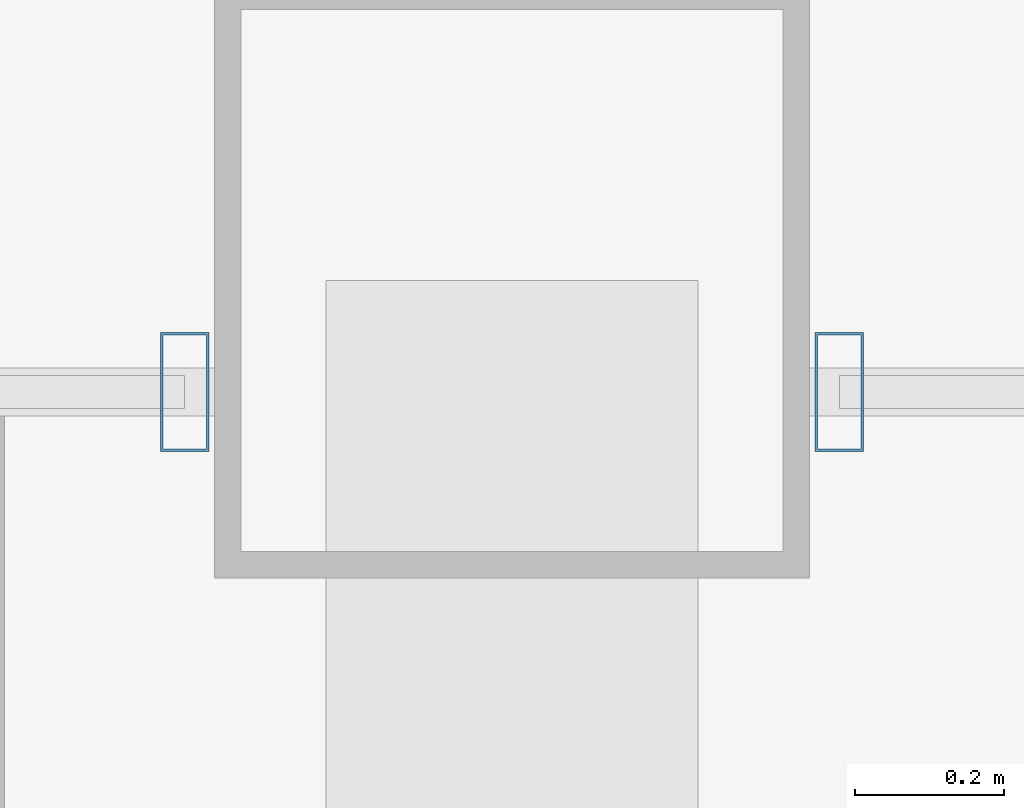
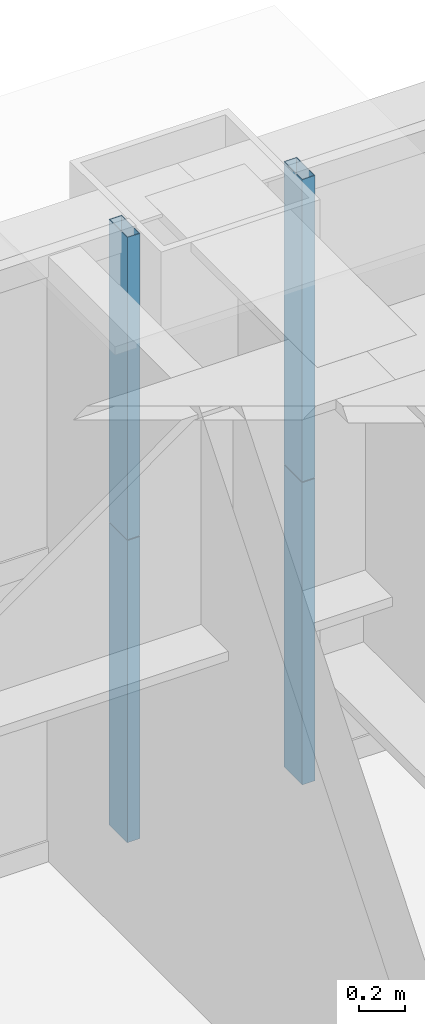
# One storey, part 28 of 39: 4 members, 2 elements without a shape of their own.
"""IFC4 building model written with IfcOpenShell, lengths in metres."""

import ifcopenshell
import ifcopenshell.guid

model = None  # the IFC model being written
_history = None  # IfcOwnerHistory: only IFC2X3 demands one
_inside = {}  # id of a spatial element -> (the spatial element, [elements in it])
_under = {}  # id of a project, library or spatial element -> (it, [spatial elements below it])
_declared = {}  # id of a project -> (the project, [libraries it declares])
_typed = {}  # id of a type object -> (the type object, [elements of that type])
_made_of = {}  # id of a material, layer set ... -> (it, [elements and type objects made of it])


def new_model(schema):
    """Start an empty IFC model of exactly this schema.

    Asked for "IFC4X3", IfcOpenShell would pick the latest addendum, in which some entities
    have other attributes; the version numbers below select the first issue.
    IFC2X3 requires an IfcOwnerHistory on every rooted entity: one is made here for all.
    """
    global model, _history
    if schema == "IFC4X3":
        model = ifcopenshell.file(schema_version=(4, 3, 0, 0))
    else:
        model = ifcopenshell.file(schema=schema)
    _inside.clear()
    _under.clear()
    _declared.clear()
    _typed.clear()
    _made_of.clear()
    _history = None
    if model.schema == "IFC2X3":
        org = make("IfcOrganization", Name="unknown")
        user = make(
            "IfcPersonAndOrganization",
            ThePerson=make("IfcPerson", FamilyName="unknown"),
            TheOrganization=org,
        )
        app = make(
            "IfcApplication",
            ApplicationDeveloper=org,
            Version="unknown",
            ApplicationFullName="unknown",
            ApplicationIdentifier="unknown",
        )
        _history = make(
            "IfcOwnerHistory",
            OwningUser=user,
            OwningApplication=app,
            ChangeAction="ADDED",
            CreationDate=0,
        )
    return model


def make(cls, **values):
    """One entity of the class cls with the attributes given. An attribute that is None is left unset."""
    return model.create_entity(
        cls, **{name: value for name, value in values.items() if value is not None}
    )


def rooted(cls, **values):
    """An entity with a GlobalId (a new one), such as an element, a storey or a relation."""
    return make(cls, GlobalId=ifcopenshell.guid.new(), OwnerHistory=_history, **values)


def si_unit(unit_type, name, prefix=None):
    """IfcSIUnit, for example si_unit("LENGTHUNIT", "METRE", prefix="MILLI")."""
    return make("IfcSIUnit", UnitType=unit_type, Prefix=prefix, Name=name)


def assignment(units):
    """IfcUnitAssignment: the units of a project."""
    return None if units is None else make("IfcUnitAssignment", Units=units)


def point(xyz):
    """IfcCartesianPoint."""
    return None if xyz is None else make("IfcCartesianPoint", Coordinates=xyz)


def direction(xyz):
    """IfcDirection."""
    return None if xyz is None else make("IfcDirection", DirectionRatios=xyz)


def frame(location, z_axis=None, x_axis=None):
    """IfcAxis2Placement3D, a coordinate frame: its origin and axes. An axis left out is left unset."""
    return make(
        "IfcAxis2Placement3D",
        Location=point(location),
        Axis=direction(z_axis),
        RefDirection=direction(x_axis),
    )


def frame_2d(location, x_axis=None):
    """IfcAxis2Placement2D, a coordinate frame in the plane: its origin and x axis."""
    return make(
        "IfcAxis2Placement2D", Location=point(location), RefDirection=direction(x_axis)
    )


def origin():
    """The frame at (0, 0, 0) with its axes left unset."""
    return frame((0.0, 0.0, 0.0))


def origin_2d():
    """The frame at (0, 0) in the plane with its x axis left unset."""
    return frame_2d((0.0, 0.0))


def place(relative_to, where):
    """IfcLocalPlacement: puts the frame where relative to a parent placement (None: the world)."""
    return make(
        "IfcLocalPlacement", PlacementRelTo=relative_to, RelativePlacement=where
    )


def context(
    kind, dimensions, precision=None, world=None, true_north=None, identifier=None
):
    """IfcGeometricRepresentationContext, for example the 3D "Model" context."""
    return make(
        "IfcGeometricRepresentationContext",
        ContextIdentifier=identifier,
        ContextType=kind,
        CoordinateSpaceDimension=dimensions,
        Precision=precision,
        WorldCoordinateSystem=world,
        TrueNorth=true_north,
    )


def subcontext(parent, identifier, kind, view, scale=None):
    """IfcGeometricRepresentationSubContext, for example "Body" below "Model"."""
    return make(
        "IfcGeometricRepresentationSubContext",
        ContextIdentifier=identifier,
        ContextType=kind,
        ParentContext=parent,
        TargetScale=scale,
        TargetView=view,
    )


def project(units=None, contexts=None):
    """IfcProject with its units and contexts."""
    return rooted(
        "IfcProject",
        Name="project",
        RepresentationContexts=contexts,
        UnitsInContext=assignment(units),
    )


def spatial(cls, under=None, at=None, **own):
    """A site, building, storey or space (cls), placed at a placement, below another one or the project."""
    s = rooted(cls, ObjectPlacement=at, **own)
    if under is not None:
        _under.setdefault(under.id(), (under, []))[1].append(s)
    return s


def profile(cls, at=None, kind="AREA", **sizes):
    """A parametric profile (cls). Its sizes go by their IFC names, for example OverallWidth=200.0."""
    return make(cls, ProfileType=kind, Position=at, **sizes)


def hollow_rectangle(**sizes):
    """IfcRectangleHollowProfileDef."""
    return profile("IfcRectangleHollowProfileDef", **sizes)


def extrude(swept, where, along, depth):
    """IfcExtrudedAreaSolid: the profile swept, set in the frame where, extruded along a direction by depth."""
    return make(
        "IfcExtrudedAreaSolid",
        SweptArea=swept,
        Position=where,
        ExtrudedDirection=direction(along),
        Depth=depth,
    )


def shape(context_of_items, identifier, shape_type, items):
    """IfcShapeRepresentation: the items that make up one representation, for example the "Body"."""
    return make(
        "IfcShapeRepresentation",
        ContextOfItems=context_of_items,
        RepresentationIdentifier=identifier,
        RepresentationType=shape_type,
        Items=items,
    )


def source(mapping_origin, context_of_items, identifier, shape_type, items):
    """IfcRepresentationMap: a shape defined once, which mapped items show again and again."""
    return make(
        "IfcRepresentationMap",
        MappingOrigin=mapping_origin,
        MappedRepresentation=shape(context_of_items, identifier, shape_type, items),
    )


def transform(
    local_origin,
    x_axis=None,
    y_axis=None,
    z_axis=None,
    scale=None,
    scale2=None,
    scale3=None,
    uniform=True,
):
    """IfcCartesianTransformationOperator3D, or its non-uniform kind. x_axis, y_axis, z_axis: its Axis1, 2, 3."""
    if uniform:
        return make(
            "IfcCartesianTransformationOperator3D",
            Axis1=direction(x_axis),
            Axis2=direction(y_axis),
            LocalOrigin=point(local_origin),
            Scale=scale,
            Axis3=direction(z_axis),
        )
    return make(
        "IfcCartesianTransformationOperator3DnonUniform",
        Axis1=direction(x_axis),
        Axis2=direction(y_axis),
        LocalOrigin=point(local_origin),
        Scale=scale,
        Axis3=direction(z_axis),
        Scale2=scale2,
        Scale3=scale3,
    )


def mapped(mapping_source, mapping_target):
    """IfcMappedItem: shows the shape of a source again, moved by a transform."""
    return make(
        "IfcMappedItem", MappingSource=mapping_source, MappingTarget=mapping_target
    )


def material(Name=None, Category=None):
    """IfcMaterial."""
    return make("IfcMaterial", Name=Name, Category=Category)


def layer(
    of_material, thickness, ventilated=None, Name=None, Category=None, Priority=None
):
    """IfcMaterialLayer: one layer of a wall or slab, of a material (None: an air gap)."""
    return make(
        "IfcMaterialLayer",
        Material=of_material,
        LayerThickness=thickness,
        IsVentilated=ventilated,
        Name=Name,
        Category=Category,
        Priority=Priority,
    )


def layer_set(layers, Name=None):
    """IfcMaterialLayerSet."""
    return make("IfcMaterialLayerSet", MaterialLayers=layers, LayerSetName=Name)


def material_profile(
    of_material, cross_section, Name=None, Category=None, Priority=None
):
    """IfcMaterialProfile: a cross section and its material."""
    return make(
        "IfcMaterialProfile",
        Name=Name,
        Material=of_material,
        Profile=cross_section,
        Priority=Priority,
        Category=Category,
    )


def profile_set(profiles, Name=None, composite=None):
    """IfcMaterialProfileSet."""
    return make(
        "IfcMaterialProfileSet",
        Name=Name,
        MaterialProfiles=profiles,
        CompositeProfile=composite,
    )


def made_of(thing, what):
    """Note that an element or type object is made of a material, layer set ...; save() writes the relation."""
    if what is not None:
        _made_of.setdefault(what.id(), (what, []))[1].append(thing)
    return thing


def type_object(cls, material=None, **own):
    """A type object (cls), such as IfcWallType, which elements share."""
    return made_of(rooted(cls, **own), material)


def element(
    cls,
    number,
    at=None,
    inside=None,
    cuts=None,
    type_object=None,
    material=None,
    context=None,
    identifier="Body",
    shape_type=None,
    held_by="IfcProductDefinitionShape",
    body=None,
    shapes=None,
    **own,
):
    """One element of the class cls, such as IfcWall. Its Tag is "e" and its number.

    at: its placement. inside: the storey or other place that contains it. cuts: it is an
    opening in that element (IfcRelVoidsElement). A single representation is given by context,
    identifier, shape_type and body (its items); several are given by shapes. held_by: the class
    of the entity that holds the representations. save() writes the other relations.
    """
    e = rooted(cls, Tag="e%d" % number, ObjectPlacement=at, **own)
    if body is not None:
        shapes = [shape(context, identifier, shape_type, body)]
    if shapes is not None:
        e.Representation = make(held_by, Representations=shapes)
    if inside is not None:
        _inside.setdefault(inside.id(), (inside, []))[1].append(e)
    if cuts is not None:
        rooted(
            "IfcRelVoidsElement", RelatingBuildingElement=cuts, RelatedOpeningElement=e
        )
    if type_object is not None:
        _typed.setdefault(type_object.id(), (type_object, []))[1].append(e)
    return made_of(e, material)


def aggregate(whole, parts):
    """IfcRelAggregates: a whole, such as a stair, and the parts it consists of."""
    return rooted("IfcRelAggregates", RelatingObject=whole, RelatedObjects=parts)


def save(model, path):
    """Write the relations noted so far, then the file.

    IfcRelAggregates (storeys below a building ...), IfcRelContainedInSpatialStructure (elements
    in a storey), IfcRelDefinesByType, IfcRelAssociatesMaterial and IfcRelDeclares: one each for
    every whole, place, type object, material and project.
    """
    for whole, parts in _under.values():
        aggregate(whole, parts)
    for where, things in _inside.values():
        rooted(
            "IfcRelContainedInSpatialStructure",
            RelatedElements=things,
            RelatingStructure=where,
        )
    for kind, things in _typed.values():
        rooted("IfcRelDefinesByType", RelatedObjects=things, RelatingType=kind)
    for what, things in _made_of.values():
        rooted("IfcRelAssociatesMaterial", RelatedObjects=things, RelatingMaterial=what)
    for by, libraries in _declared.values():
        rooted("IfcRelDeclares", RelatingContext=by, RelatedDefinitions=libraries)
    model.write(path)


model = new_model("IFC4")

# Units and contexts
model_context = context("Model", 3, precision=1e-05, world=origin(), true_north=direction((0.0, 1.0)))
body_context = subcontext(model_context, "Body", "Model", "MODEL_VIEW")
ifc_project = project(units=[si_unit("LENGTHUNIT", "METRE"), si_unit("AREAUNIT", "SQUARE_METRE"), si_unit("VOLUMEUNIT", "CUBIC_METRE"), si_unit("PLANEANGLEUNIT", "RADIAN"), si_unit("MASSUNIT", "GRAM", prefix="KILO"), si_unit("THERMODYNAMICTEMPERATUREUNIT", "KELVIN"), si_unit("POWERUNIT", "WATT")], contexts=[model_context])

# Site, building, storey
site_placement = place(None, origin())
site = spatial("IfcSite", under=ifc_project, at=site_placement, CompositionType="ELEMENT")
building_placement = place(site_placement, origin())
building = spatial("IfcBuilding", under=site, at=building_placement, Name="Yuzanri Waterfront Tower", CompositionType="ELEMENT")
storey_placement = place(building_placement, frame((0.0, 0.0, 216.0)))
storey = spatial("IfcBuildingStorey", under=building, at=storey_placement, Name="L57", CompositionType="ELEMENT", Elevation=216.0)

# Curtain wall, members
ifc_material_1 = material(Name="Anodized Architectural Bronze", Category="metal")
ifc_layer = layer(ifc_material_1, 0.159912109375)
ifc_layer_set = layer_set([ifc_layer], Name="Anodized Architectural Bronze")
curtain_wall_type = type_object("IfcCurtainWallType", Name="Anodized Bronze Mid-Rise Residential Acoustic Unitized Curtain Wall 7200", PredefinedType="NOTDEFINED", material=ifc_layer_set)
curtain_wall_1_placement = place(storey_placement, origin())
curtain_wall_1 = element("IfcCurtainWall", 1, at=curtain_wall_1_placement, inside=storey, type_object=curtain_wall_type, Name="L57 Curtain Wall CW-L57-NL", PredefinedType="NOTDEFINED")
ifc_material_2 = material(Name="Anodized Architectural Bronze", Category="metal")
ifc_material_profile = material_profile(ifc_material_2, hollow_rectangle(XDim=0.06494140625, YDim=0.159912109375, WallThickness=0.00341796875, at=origin_2d()), Name="CWM 65x160")
ifc_profile_set = profile_set([ifc_material_profile], Name="Anodized Architectural Bronze")
member_type = type_object("IfcMemberType", Name="Anodized Bronze Upper-Zone Curtain-Wall Mullion 65x160", PredefinedType="MULLION", material=ifc_profile_set)
shared_shape = source(origin(), body_context, "Body", "SweptSolid", [
    extrude(hollow_rectangle(XDim=0.06494140625, YDim=0.159912109375, WallThickness=0.00341796875, at=origin_2d()), origin(), (0.0, 0.0, 1.0), 1.60791015625),
])
member_1_placement = place(storey_placement, frame((36.56005859375, 47.75, 0.0), z_axis=(0.0, 0.0, 1.0), x_axis=(1.0, 0.0, 0.0)))
member_1 = element("IfcMember", 2, at=member_1_placement, type_object=member_type, Name="CW-L57-NL Lower Mullion 02", PredefinedType="MULLION", context=body_context, shape_type="MappedRepresentation", body=[
    mapped(shared_shape, transform((0.0, 0.0, 0.0), scale=1.0)),
])
member_2_placement = place(storey_placement, frame((36.56005859375, 47.75, 1.612060546875), z_axis=(0.0, 0.0, 1.0), x_axis=(1.0, 0.0, 0.0)))
member_2 = element("IfcMember", 3, at=member_2_placement, type_object=member_type, Name="CW-L57-NL Upper Mullion 02", PredefinedType="MULLION", context=body_context, shape_type="MappedRepresentation", body=[
    mapped(shared_shape, transform((0.0, 0.0, 0.0), scale=1.0)),
])
aggregate(curtain_wall_1, [member_1, member_2])

curtain_wall_2_placement = place(storey_placement, origin())
curtain_wall_2 = element("IfcCurtainWall", 4, at=curtain_wall_2_placement, inside=storey, type_object=curtain_wall_type, Name="L57 Curtain Wall CW-L57-NR", PredefinedType="NOTDEFINED")
member_3_placement = place(storey_placement, frame((37.43994140625, 47.75, 0.0), z_axis=(0.0, 0.0, 1.0), x_axis=(1.0, 0.0, 0.0)))
member_3 = element("IfcMember", 5, at=member_3_placement, type_object=member_type, Name="CW-L57-NR Lower Mullion 00", PredefinedType="MULLION", context=body_context, shape_type="MappedRepresentation", body=[
    mapped(shared_shape, transform((0.0, 0.0, 0.0), scale=1.0)),
])
member_4_placement = place(storey_placement, frame((37.43994140625, 47.75, 1.612060546875), z_axis=(0.0, 0.0, 1.0), x_axis=(1.0, 0.0, 0.0)))
member_4 = element("IfcMember", 6, at=member_4_placement, type_object=member_type, Name="CW-L57-NR Upper Mullion 00", PredefinedType="MULLION", context=body_context, shape_type="MappedRepresentation", body=[
    mapped(shared_shape, transform((0.0, 0.0, 0.0), scale=1.0)),
])
aggregate(curtain_wall_2, [member_3, member_4])

save(model, "model.ifc")
